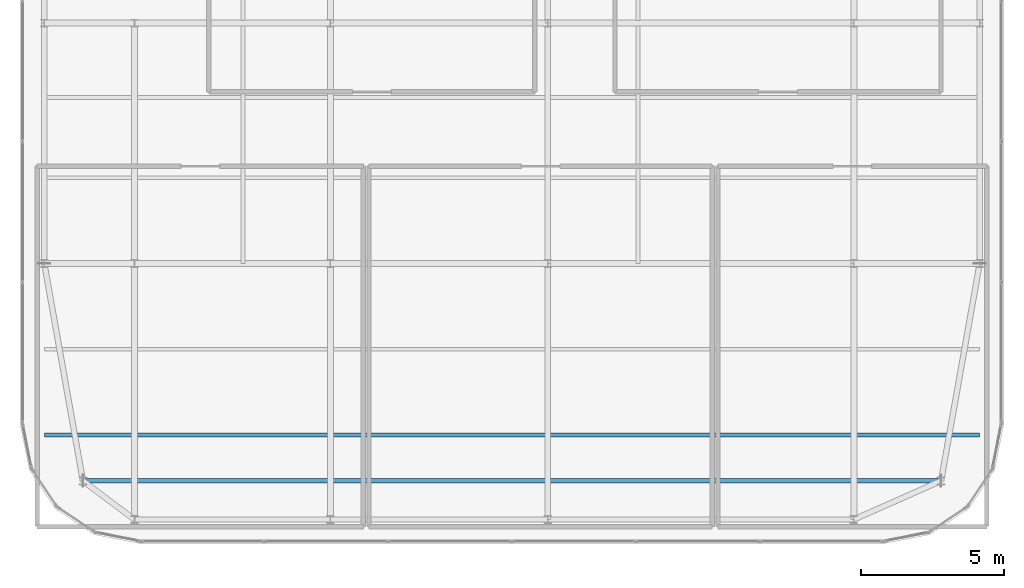
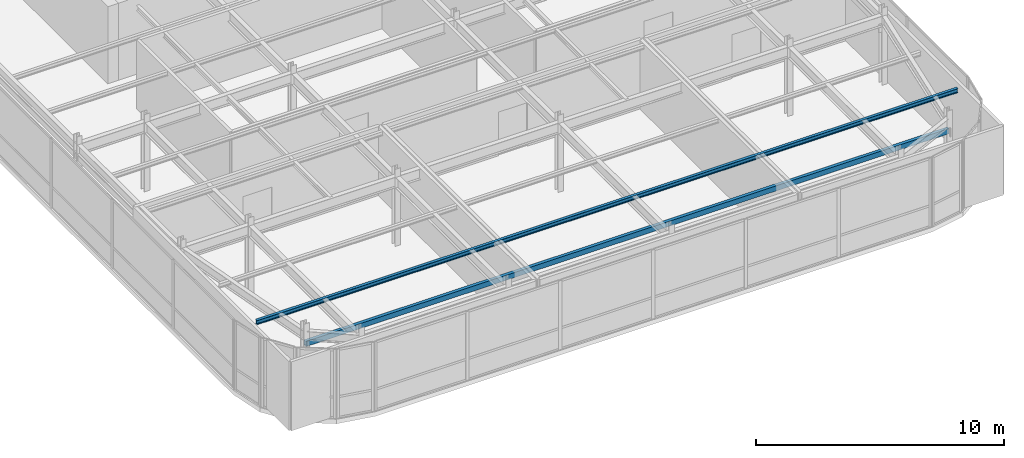
# One storey, part 11 of 35: 2 members.
"""IFC4 building model written with IfcOpenShell, lengths in metres."""

import ifcopenshell
import ifcopenshell.guid

model = None  # the IFC model being written
_history = None  # IfcOwnerHistory: only IFC2X3 demands one
_inside = {}  # id of a spatial element -> (the spatial element, [elements in it])
_under = {}  # id of a project, library or spatial element -> (it, [spatial elements below it])
_declared = {}  # id of a project -> (the project, [libraries it declares])
_typed = {}  # id of a type object -> (the type object, [elements of that type])
_made_of = {}  # id of a material, layer set ... -> (it, [elements and type objects made of it])


def new_model(schema):
    """Start an empty IFC model of exactly this schema.

    Asked for "IFC4X3", IfcOpenShell would pick the latest addendum, in which some entities
    have other attributes; the version numbers below select the first issue.
    IFC2X3 requires an IfcOwnerHistory on every rooted entity: one is made here for all.
    """
    global model, _history
    if schema == "IFC4X3":
        model = ifcopenshell.file(schema_version=(4, 3, 0, 0))
    else:
        model = ifcopenshell.file(schema=schema)
    _inside.clear()
    _under.clear()
    _declared.clear()
    _typed.clear()
    _made_of.clear()
    _history = None
    if model.schema == "IFC2X3":
        org = make("IfcOrganization", Name="unknown")
        user = make(
            "IfcPersonAndOrganization",
            ThePerson=make("IfcPerson", FamilyName="unknown"),
            TheOrganization=org,
        )
        app = make(
            "IfcApplication",
            ApplicationDeveloper=org,
            Version="unknown",
            ApplicationFullName="unknown",
            ApplicationIdentifier="unknown",
        )
        _history = make(
            "IfcOwnerHistory",
            OwningUser=user,
            OwningApplication=app,
            ChangeAction="ADDED",
            CreationDate=0,
        )
    return model


def make(cls, **values):
    """One entity of the class cls with the attributes given. An attribute that is None is left unset."""
    return model.create_entity(
        cls, **{name: value for name, value in values.items() if value is not None}
    )


def rooted(cls, **values):
    """An entity with a GlobalId (a new one), such as an element, a storey or a relation."""
    return make(cls, GlobalId=ifcopenshell.guid.new(), OwnerHistory=_history, **values)


def si_unit(unit_type, name, prefix=None):
    """IfcSIUnit, for example si_unit("LENGTHUNIT", "METRE", prefix="MILLI")."""
    return make("IfcSIUnit", UnitType=unit_type, Prefix=prefix, Name=name)


def assignment(units):
    """IfcUnitAssignment: the units of a project."""
    return None if units is None else make("IfcUnitAssignment", Units=units)


def point(xyz):
    """IfcCartesianPoint."""
    return None if xyz is None else make("IfcCartesianPoint", Coordinates=xyz)


def direction(xyz):
    """IfcDirection."""
    return None if xyz is None else make("IfcDirection", DirectionRatios=xyz)


def frame(location, z_axis=None, x_axis=None):
    """IfcAxis2Placement3D, a coordinate frame: its origin and axes. An axis left out is left unset."""
    return make(
        "IfcAxis2Placement3D",
        Location=point(location),
        Axis=direction(z_axis),
        RefDirection=direction(x_axis),
    )


def frame_2d(location, x_axis=None):
    """IfcAxis2Placement2D, a coordinate frame in the plane: its origin and x axis."""
    return make(
        "IfcAxis2Placement2D", Location=point(location), RefDirection=direction(x_axis)
    )


def origin():
    """The frame at (0, 0, 0) with its axes left unset."""
    return frame((0.0, 0.0, 0.0))


def origin_2d():
    """The frame at (0, 0) in the plane with its x axis left unset."""
    return frame_2d((0.0, 0.0))


def place(relative_to, where):
    """IfcLocalPlacement: puts the frame where relative to a parent placement (None: the world)."""
    return make(
        "IfcLocalPlacement", PlacementRelTo=relative_to, RelativePlacement=where
    )


def context(
    kind, dimensions, precision=None, world=None, true_north=None, identifier=None
):
    """IfcGeometricRepresentationContext, for example the 3D "Model" context."""
    return make(
        "IfcGeometricRepresentationContext",
        ContextIdentifier=identifier,
        ContextType=kind,
        CoordinateSpaceDimension=dimensions,
        Precision=precision,
        WorldCoordinateSystem=world,
        TrueNorth=true_north,
    )


def subcontext(parent, identifier, kind, view, scale=None):
    """IfcGeometricRepresentationSubContext, for example "Body" below "Model"."""
    return make(
        "IfcGeometricRepresentationSubContext",
        ContextIdentifier=identifier,
        ContextType=kind,
        ParentContext=parent,
        TargetScale=scale,
        TargetView=view,
    )


def project(units=None, contexts=None):
    """IfcProject with its units and contexts."""
    return rooted(
        "IfcProject",
        Name="project",
        RepresentationContexts=contexts,
        UnitsInContext=assignment(units),
    )


def spatial(cls, under=None, at=None, **own):
    """A site, building, storey or space (cls), placed at a placement, below another one or the project."""
    s = rooted(cls, ObjectPlacement=at, **own)
    if under is not None:
        _under.setdefault(under.id(), (under, []))[1].append(s)
    return s


def profile(cls, at=None, kind="AREA", **sizes):
    """A parametric profile (cls). Its sizes go by their IFC names, for example OverallWidth=200.0."""
    return make(cls, ProfileType=kind, Position=at, **sizes)


def hollow_rectangle(**sizes):
    """IfcRectangleHollowProfileDef."""
    return profile("IfcRectangleHollowProfileDef", **sizes)


def i_section(**sizes):
    """IfcIShapeProfileDef."""
    return profile("IfcIShapeProfileDef", **sizes)


def extrude(swept, where, along, depth):
    """IfcExtrudedAreaSolid: the profile swept, set in the frame where, extruded along a direction by depth."""
    return make(
        "IfcExtrudedAreaSolid",
        SweptArea=swept,
        Position=where,
        ExtrudedDirection=direction(along),
        Depth=depth,
    )


def shape(context_of_items, identifier, shape_type, items):
    """IfcShapeRepresentation: the items that make up one representation, for example the "Body"."""
    return make(
        "IfcShapeRepresentation",
        ContextOfItems=context_of_items,
        RepresentationIdentifier=identifier,
        RepresentationType=shape_type,
        Items=items,
    )


def source(mapping_origin, context_of_items, identifier, shape_type, items):
    """IfcRepresentationMap: a shape defined once, which mapped items show again and again."""
    return make(
        "IfcRepresentationMap",
        MappingOrigin=mapping_origin,
        MappedRepresentation=shape(context_of_items, identifier, shape_type, items),
    )


def transform(
    local_origin,
    x_axis=None,
    y_axis=None,
    z_axis=None,
    scale=None,
    scale2=None,
    scale3=None,
    uniform=True,
):
    """IfcCartesianTransformationOperator3D, or its non-uniform kind. x_axis, y_axis, z_axis: its Axis1, 2, 3."""
    if uniform:
        return make(
            "IfcCartesianTransformationOperator3D",
            Axis1=direction(x_axis),
            Axis2=direction(y_axis),
            LocalOrigin=point(local_origin),
            Scale=scale,
            Axis3=direction(z_axis),
        )
    return make(
        "IfcCartesianTransformationOperator3DnonUniform",
        Axis1=direction(x_axis),
        Axis2=direction(y_axis),
        LocalOrigin=point(local_origin),
        Scale=scale,
        Axis3=direction(z_axis),
        Scale2=scale2,
        Scale3=scale3,
    )


def mapped(mapping_source, mapping_target):
    """IfcMappedItem: shows the shape of a source again, moved by a transform."""
    return make(
        "IfcMappedItem", MappingSource=mapping_source, MappingTarget=mapping_target
    )


def material(Name=None, Category=None):
    """IfcMaterial."""
    return make("IfcMaterial", Name=Name, Category=Category)


def material_profile(
    of_material, cross_section, Name=None, Category=None, Priority=None
):
    """IfcMaterialProfile: a cross section and its material."""
    return make(
        "IfcMaterialProfile",
        Name=Name,
        Material=of_material,
        Profile=cross_section,
        Priority=Priority,
        Category=Category,
    )


def profile_set(profiles, Name=None, composite=None):
    """IfcMaterialProfileSet."""
    return make(
        "IfcMaterialProfileSet",
        Name=Name,
        MaterialProfiles=profiles,
        CompositeProfile=composite,
    )


def made_of(thing, what):
    """Note that an element or type object is made of a material, layer set ...; save() writes the relation."""
    if what is not None:
        _made_of.setdefault(what.id(), (what, []))[1].append(thing)
    return thing


def type_object(cls, material=None, **own):
    """A type object (cls), such as IfcWallType, which elements share."""
    return made_of(rooted(cls, **own), material)


def type_shapes(of_type, sources):
    """Give a type object the sources (RepresentationMaps) that its elements show as mapped items."""
    of_type.RepresentationMaps = sources


def element(
    cls,
    number,
    at=None,
    inside=None,
    cuts=None,
    type_object=None,
    material=None,
    context=None,
    identifier="Body",
    shape_type=None,
    held_by="IfcProductDefinitionShape",
    body=None,
    shapes=None,
    **own,
):
    """One element of the class cls, such as IfcWall. Its Tag is "e" and its number.

    at: its placement. inside: the storey or other place that contains it. cuts: it is an
    opening in that element (IfcRelVoidsElement). A single representation is given by context,
    identifier, shape_type and body (its items); several are given by shapes. held_by: the class
    of the entity that holds the representations. save() writes the other relations.
    """
    e = rooted(cls, Tag="e%d" % number, ObjectPlacement=at, **own)
    if body is not None:
        shapes = [shape(context, identifier, shape_type, body)]
    if shapes is not None:
        e.Representation = make(held_by, Representations=shapes)
    if inside is not None:
        _inside.setdefault(inside.id(), (inside, []))[1].append(e)
    if cuts is not None:
        rooted(
            "IfcRelVoidsElement", RelatingBuildingElement=cuts, RelatedOpeningElement=e
        )
    if type_object is not None:
        _typed.setdefault(type_object.id(), (type_object, []))[1].append(e)
    return made_of(e, material)


def aggregate(whole, parts):
    """IfcRelAggregates: a whole, such as a stair, and the parts it consists of."""
    return rooted("IfcRelAggregates", RelatingObject=whole, RelatedObjects=parts)


def save(model, path):
    """Write the relations noted so far, then the file.

    IfcRelAggregates (storeys below a building ...), IfcRelContainedInSpatialStructure (elements
    in a storey), IfcRelDefinesByType, IfcRelAssociatesMaterial and IfcRelDeclares: one each for
    every whole, place, type object, material and project.
    """
    for whole, parts in _under.values():
        aggregate(whole, parts)
    for where, things in _inside.values():
        rooted(
            "IfcRelContainedInSpatialStructure",
            RelatedElements=things,
            RelatingStructure=where,
        )
    for kind, things in _typed.values():
        rooted("IfcRelDefinesByType", RelatedObjects=things, RelatingType=kind)
    for what, things in _made_of.values():
        rooted("IfcRelAssociatesMaterial", RelatedObjects=things, RelatingMaterial=what)
    for by, libraries in _declared.values():
        rooted("IfcRelDeclares", RelatingContext=by, RelatedDefinitions=libraries)
    model.write(path)


model = new_model("IFC4")

# Units and contexts
model_context = context("Model", 3, precision=1e-05, world=origin(), true_north=direction((0.0, 1.0)))
body_context = subcontext(model_context, "Body", "Model", "MODEL_VIEW")
ifc_project = project(units=[si_unit("LENGTHUNIT", "METRE"), si_unit("AREAUNIT", "SQUARE_METRE"), si_unit("VOLUMEUNIT", "CUBIC_METRE"), si_unit("PLANEANGLEUNIT", "RADIAN"), si_unit("MASSUNIT", "GRAM", prefix="KILO")], contexts=[model_context])

# Site, building, storey
site_placement = place(None, origin())
site = spatial("IfcSite", under=ifc_project, at=site_placement, CompositionType="ELEMENT")
building_placement = place(site_placement, origin())
building = spatial("IfcBuilding", under=site, at=building_placement, Name="Tolvann Quenvar Hotel", CompositionType="ELEMENT")
storey_placement = place(building_placement, frame((0.0, 0.0, 309.949951171875)))
storey = spatial("IfcBuildingStorey", under=building, at=storey_placement, Name="L82", CompositionType="ELEMENT", Elevation=309.949951171875)

# Members
ifc_material_1 = material(Name="Steel Grade 450 (C450L0)", Category="steel")
ifc_material_profile_1 = material_profile(ifc_material_1, hollow_rectangle(XDim=0.14990234375, YDim=0.25, WallThickness=0.009033203125, at=origin_2d()), Name="250x150x9RHS")
ifc_profile_set_1 = profile_set([ifc_material_profile_1], Name="Steel Grade 450 (C450L0)")
member_type_1 = type_object("IfcMemberType", Name="MEM_CROWN_250RHS", PredefinedType="USERDEFINED", material=ifc_profile_set_1)
shared_shape_1 = source(origin(), body_context, "Body", "SweptSolid", [
    extrude(hollow_rectangle(XDim=0.14990234375, YDim=0.25, WallThickness=0.009033203125, at=origin_2d()), origin(), (0.0, 0.0, 1.0), 30.0),
])
type_shapes(member_type_1, [shared_shape_1])
member_1_placement = place(storey_placement, frame((5.800048828125, 8.39990234375, 2.75), z_axis=(1.0, 0.0, 0.0), x_axis=(0.0, 1.0, 0.0)))
element("IfcMember", 1, at=member_1_placement, inside=storey, type_object=member_type_1, Name="Crown Frame Ring Member (L82-1)", ObjectType="CROWN FRAME", PredefinedType="USERDEFINED", context=body_context, shape_type="MappedRepresentation", body=[
    mapped(shared_shape_1, transform((0.0, 0.0, 0.0), x_axis=(1.0, 0.0, 0.0), y_axis=(0.0, 1.0, 0.0), z_axis=(0.0, 0.0, 1.0), scale=1.0)),
])
ifc_material_2 = material(Name="Steel Grade 350", Category="steel")
ifc_material_profile_2 = material_profile(ifc_material_2, i_section(OverallWidth=0.134033203125, OverallDepth=0.20703125, WebThickness=0.00634765625, FlangeThickness=0.009521484375, FilletRadius=0.0087890625, at=origin_2d()), Name="200UB30")
ifc_profile_set_2 = profile_set([ifc_material_profile_2], Name="Steel Grade 350")
member_type_2 = type_object("IfcMemberType", Name="MEM_PURL_200UB", PredefinedType="PURLIN", material=ifc_profile_set_2)
shared_shape_2 = source(origin(), body_context, "Body", "SweptSolid", [
    extrude(i_section(OverallWidth=0.134033203125, OverallDepth=0.20703125, WebThickness=0.00634765625, FlangeThickness=0.009521484375, FilletRadius=0.0087890625, at=origin_2d()), origin(), (0.0, 0.0, 1.0), 32.699951171875),
])
type_shapes(member_type_2, [shared_shape_2])
member_2_placement = place(storey_placement, frame((4.449951171875, 10.0, 3.296630859375), z_axis=(1.0, 0.0, 0.0), x_axis=(0.0, 1.0, 0.0)))
element("IfcMember", 2, at=member_2_placement, inside=storey, type_object=member_type_2, Name="Lantern Roof Purlin PU-1", PredefinedType="PURLIN", context=body_context, shape_type="MappedRepresentation", body=[
    mapped(shared_shape_2, transform((0.0, 0.0, 0.0), x_axis=(1.0, 0.0, 0.0), y_axis=(0.0, 1.0, 0.0), z_axis=(0.0, 0.0, 1.0), scale=1.0)),
])

save(model, "model.ifc")
